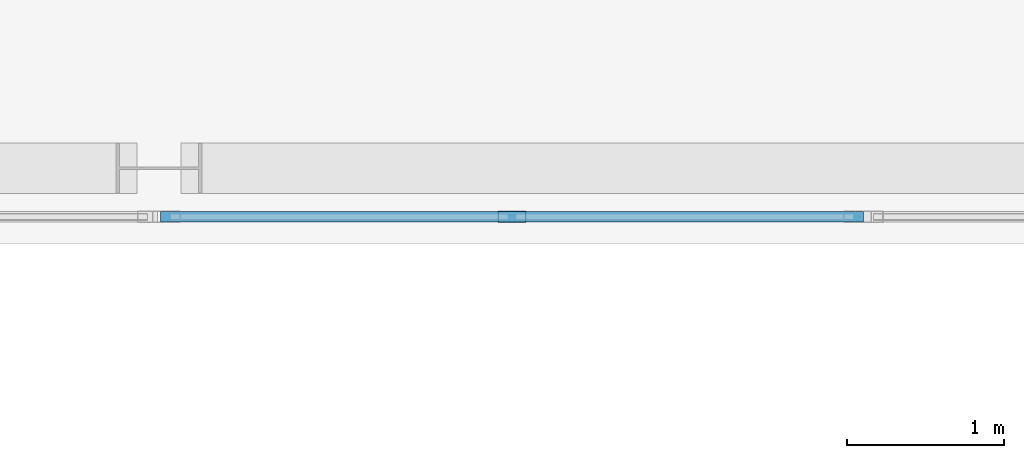
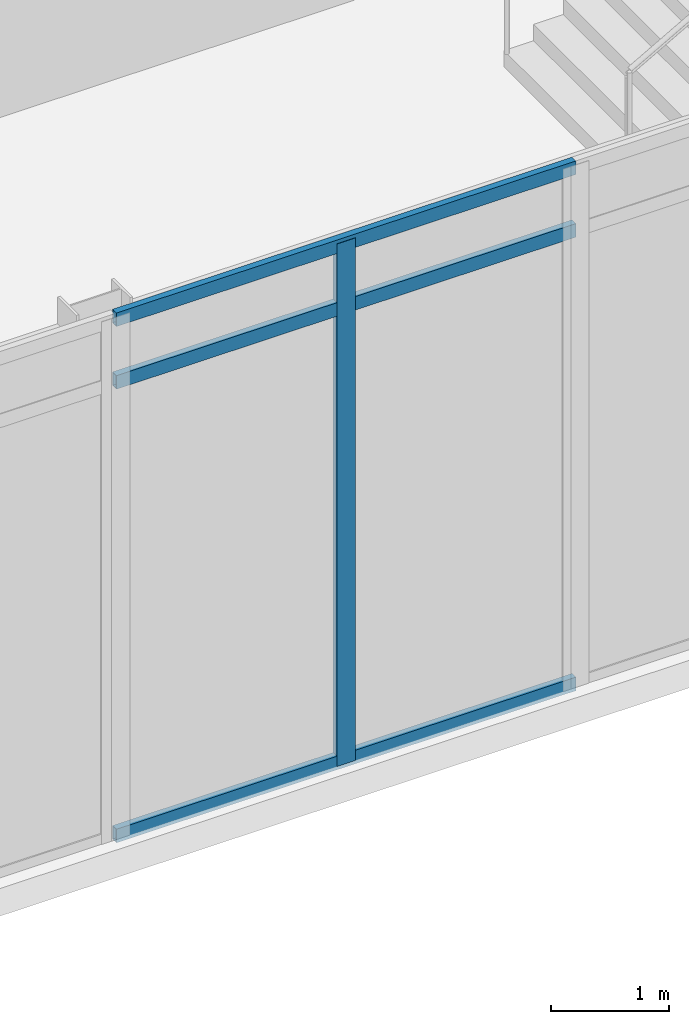
# One storey, part 53 of 98: 4 members, 1 element without a shape of its own.
"""IFC4 building model written with IfcOpenShell, lengths in metres."""

from ifc_helpers import new_model, si_unit, direction, frame, origin, origin_2d, place, context, subcontext, project, spatial, hollow_rectangle, extrude, material, layer, layer_set, material_profile, profile_set, type_object, element, aggregate, save


model = new_model("IFC4")

# Units and contexts
model_context = context("Model", 3, precision=1e-05, world=origin(), true_north=direction((0.0, 1.0)))
body_context = subcontext(model_context, "Body", "Model", "MODEL_VIEW")
ifc_project = project(units=[si_unit("LENGTHUNIT", "METRE"), si_unit("AREAUNIT", "SQUARE_METRE"), si_unit("VOLUMEUNIT", "CUBIC_METRE"), si_unit("PLANEANGLEUNIT", "RADIAN"), si_unit("MASSUNIT", "GRAM", prefix="KILO")], contexts=[model_context])

# Site, building, storey
site_placement = place(None, origin())
site = spatial("IfcSite", under=ifc_project, at=site_placement, CompositionType="ELEMENT")
building_placement = place(site_placement, origin())
building = spatial("IfcBuilding", under=site, at=building_placement, Name="Sollismere Congress Hotel", CompositionType="ELEMENT")
storey_placement = place(building_placement, frame((0.0, 0.0, 5.39990234375)))
storey = spatial("IfcBuildingStorey", under=building, at=storey_placement, Name="L01", CompositionType="ELEMENT", Elevation=5.39990234375)

# Curtain wall, members
ifc_material_1 = material(Name="Anodized Bronze Curtain Wall & Low-E Triple Glazing", Category="glass")
ifc_layer = layer(ifc_material_1, 0.199951171875, Name="Anodized Bronze Curtain Wall & Low-E Triple Glazing")
ifc_layer_set = layer_set([ifc_layer], Name="Anodized Bronze Curtain Wall & Low-E Triple Glazing")
curtain_wall_type = type_object("IfcCurtainWallType", Name="CW-GLZ36", PredefinedType="USERDEFINED", material=ifc_layer_set)
curtain_wall_placement = place(storey_placement, origin())
curtain_wall = element("IfcCurtainWall", 1, at=curtain_wall_placement, inside=storey, type_object=curtain_wall_type, Name="Unitised curtain wall CW-L01-091", ObjectType="UNITISED CURTAIN WALL", PredefinedType="USERDEFINED")
ifc_material_2 = material(Name="Anodized Aluminum 6063-T6", Category="aluminium")
ifc_material_profile_1 = material_profile(ifc_material_2, hollow_rectangle(XDim=0.074951171875, YDim=0.179931640625, WallThickness=0.0048828125, at=origin_2d()), Name="ALU180X75X5")
ifc_profile_set_1 = profile_set([ifc_material_profile_1], Name="Anodized Aluminum 6063-T6")
member_type_1 = type_object("IfcMemberType", Name="ML-CW180", PredefinedType="MULLION", material=ifc_profile_set_1)
member_1_placement = place(storey_placement, frame((78.2548828125, 66.489990234375, 0.0), z_axis=(0.0, 0.0, 1.0), x_axis=(0.0, 1.0, 0.0)))
member_1 = element("IfcMember", 2, at=member_1_placement, type_object=member_type_1, Name="CWL-CW-L01-091-ML02", PredefinedType="MULLION", context=body_context, shape_type="SweptSolid", body=[
    extrude(hollow_rectangle(XDim=0.074951171875, YDim=0.179931640625, WallThickness=0.0048828125, at=origin_2d()), origin(), (0.0, 0.0, 1.0), 5.400146484375),
])
ifc_material_profile_2 = material_profile(ifc_material_2, hollow_rectangle(XDim=0.06494140625, YDim=0.139892578125, WallThickness=0.00390625, at=origin_2d()), Name="ALU140X65X4")
ifc_profile_set_2 = profile_set([ifc_material_profile_2], Name="Anodized Aluminum 6063-T6")
member_type_2 = type_object("IfcMemberType", Name="TR-CW150", PredefinedType="MEMBER", material=ifc_profile_set_2)
member_2_placement = place(storey_placement, frame((76.010009765625, 66.489990234375, 0.03271484375), z_axis=(1.0, 0.0, 0.0), x_axis=(0.0, 1.0, 0.0)))
member_2 = element("IfcMember", 3, at=member_2_placement, type_object=member_type_2, Name="CWL-CW-L01-091-TR1", PredefinedType="MEMBER", context=body_context, shape_type="SweptSolid", body=[
    extrude(hollow_rectangle(XDim=0.06494140625, YDim=0.139892578125, WallThickness=0.00390625, at=origin_2d()), origin(), (0.0, 0.0, 1.0), 4.489990234375),
])
member_3_placement = place(storey_placement, frame((76.010009765625, 66.489990234375, 4.72021484375), z_axis=(1.0, 0.0, 0.0), x_axis=(0.0, 1.0, 0.0)))
member_3 = element("IfcMember", 4, at=member_3_placement, type_object=member_type_2, Name="CWL-CW-L01-091-TR2", PredefinedType="MEMBER", context=body_context, shape_type="SweptSolid", body=[
    extrude(hollow_rectangle(XDim=0.06494140625, YDim=0.139892578125, WallThickness=0.00390625, at=origin_2d()), origin(), (0.0, 0.0, 1.0), 4.489990234375),
])
member_4_placement = place(storey_placement, frame((76.010009765625, 66.489990234375, 5.36767578125), z_axis=(1.0, 0.0, 0.0), x_axis=(0.0, 1.0, 0.0)))
member_4 = element("IfcMember", 5, at=member_4_placement, type_object=member_type_2, Name="CWL-CW-L01-091-TR3", PredefinedType="MEMBER", context=body_context, shape_type="SweptSolid", body=[
    extrude(hollow_rectangle(XDim=0.06494140625, YDim=0.139892578125, WallThickness=0.00390625, at=origin_2d()), origin(), (0.0, 0.0, 1.0), 4.489990234375),
])
aggregate(curtain_wall, [member_1, member_2, member_3, member_4])

save(model, "model.ifc")
